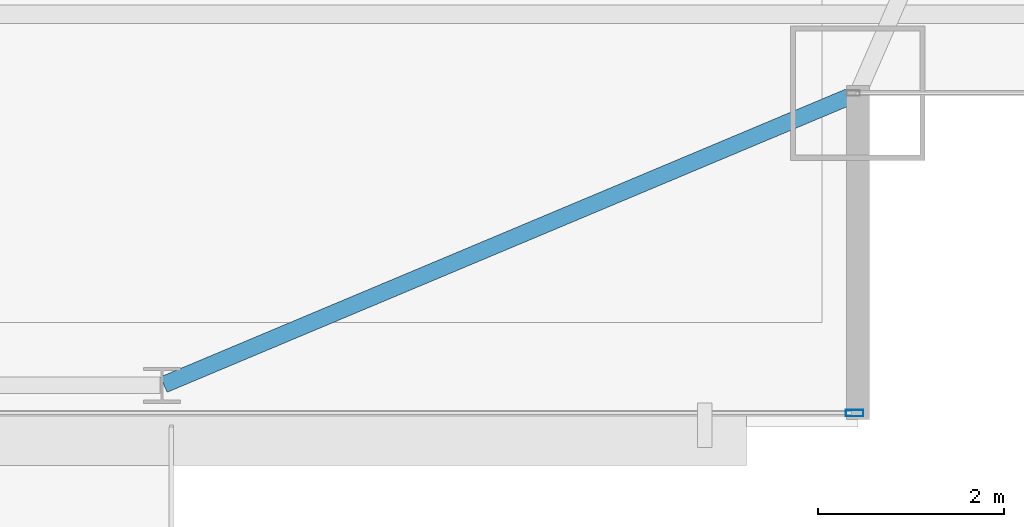
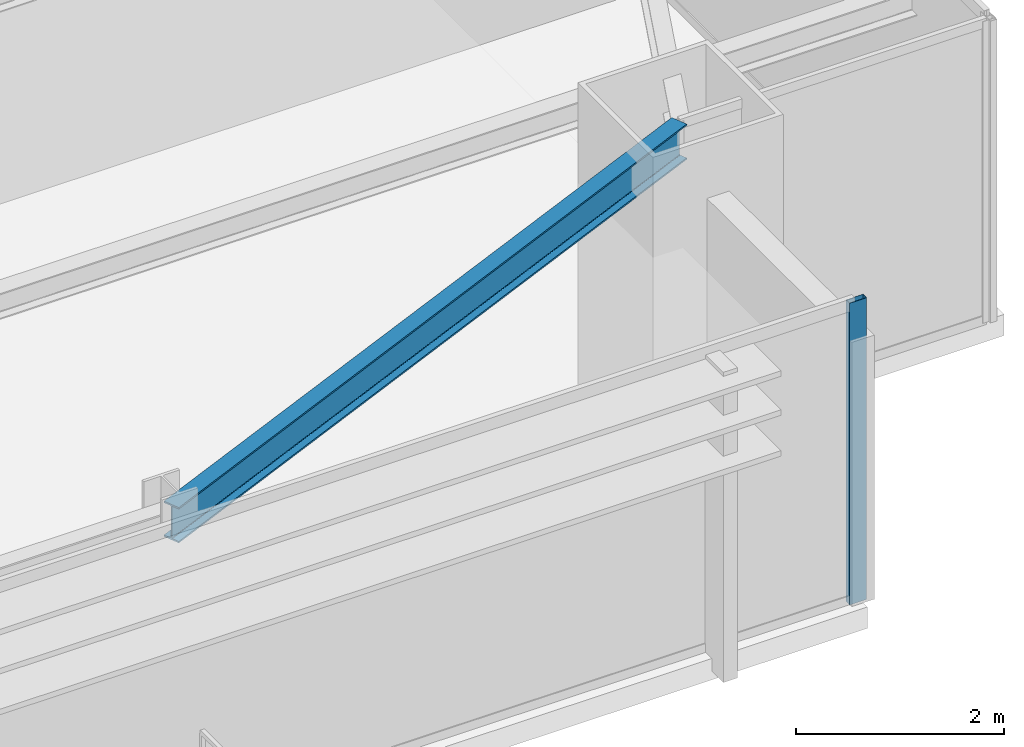
# One storey, part 14 of 32: 1 beam, 1 member, 1 element without a shape of its own.
"""IFC4 building model written with IfcOpenShell, lengths in metres."""

from ifc_helpers import new_model, si_unit, direction, frame, origin, origin_2d, place, context, subcontext, project, spatial, hollow_rectangle, i_section, extrude, source, transform, mapped, material, layer, layer_set, material_profile, profile_set, type_object, type_shapes, element, aggregate, save


model = new_model("IFC4")

# Units and contexts
model_context = context("Model", 3, precision=1e-05, world=origin(), true_north=direction((0.0, 1.0)))
body_context = subcontext(model_context, "Body", "Model", "MODEL_VIEW")
ifc_project = project(units=[si_unit("LENGTHUNIT", "METRE"), si_unit("AREAUNIT", "SQUARE_METRE"), si_unit("VOLUMEUNIT", "CUBIC_METRE"), si_unit("PLANEANGLEUNIT", "RADIAN"), si_unit("MASSUNIT", "GRAM", prefix="KILO")], contexts=[model_context])

# Site, building, storey
site_placement = place(None, origin())
site = spatial("IfcSite", under=ifc_project, at=site_placement, CompositionType="ELEMENT")
building_placement = place(site_placement, origin())
building = spatial("IfcBuilding", under=site, at=building_placement, Name="Varnel Quay Broadcast Tower", CompositionType="ELEMENT")
storey_placement = place(building_placement, frame((0.0, 0.0, 133.39990234375)))
storey = spatial("IfcBuildingStorey", under=building, at=storey_placement, Name="L32", CompositionType="ELEMENT", Elevation=133.39990234375)

# Beam
ifc_material_1 = material(Name="Structural Steel CSA G40.21 350W", Category="steel")
ifc_material_profile_1 = material_profile(ifc_material_1, i_section(OverallWidth=0.180908203125, OverallDepth=0.4169921875, WebThickness=0.010986328125, FlangeThickness=0.018310546875, FilletRadius=0.011962890625, at=origin_2d()), Name="W410X85")
ifc_profile_set_1 = profile_set([ifc_material_profile_1], Name="Structural Steel CSA G40.21 350W")
beam_type = type_object("IfcBeamType", Name="Beam_W410X85", PredefinedType="SPANDREL", material=ifc_profile_set_1)
shared_shape_1 = source(origin(), body_context, "Body", "SweptSolid", [
    extrude(i_section(OverallWidth=0.180908203125, OverallDepth=0.4169921875, WebThickness=0.010986328125, FlangeThickness=0.018310546875, FilletRadius=0.011962890625, at=origin_2d()), origin(), (0.0, 0.0, 1.0), 8.0947265625),
])
type_shapes(beam_type, [shared_shape_1])
beam_placement = place(storey_placement, frame((52.41845703125, 4.65771484375, 3.341552734375), z_axis=(0.921981890247, 0.387232997117, 0.0), x_axis=(-0.387232997117, 0.921981890247, 0.0)))
element("IfcBeam", 1, at=beam_placement, inside=storey, type_object=beam_type, Name="L32 South Spandrel TC-S5-MC-SE", PredefinedType="SPANDREL", context=body_context, shape_type="MappedRepresentation", body=[
    mapped(shared_shape_1, transform((0.0, 0.0, 0.0), x_axis=(1.0, 0.0, 0.0), y_axis=(0.0, 1.0, 0.0), z_axis=(0.0, 0.0, 1.0), scale=1.0)),
])

# Curtain wall, member
ifc_material_2 = material(Name="Anodised Bronze Aluminium 6063-T6", Category="aluminium")
ifc_layer = layer(ifc_material_2, 0.18994140625, Name="Anodised Bronze Aluminium 6063-T6")
ifc_layer_set = layer_set([ifc_layer], Name="Anodised Bronze Aluminium 6063-T6")
curtain_wall_type = type_object("IfcCurtainWallType", Name="CW_LowerTower", PredefinedType="NOTDEFINED", material=ifc_layer_set)
curtain_wall_placement = place(storey_placement, origin())
curtain_wall = element("IfcCurtainWall", 2, at=curtain_wall_placement, inside=storey, type_object=curtain_wall_type, Name="L32 South Unitised Curtain Wall 3", PredefinedType="NOTDEFINED")
ifc_material_profile_2 = material_profile(ifc_material_2, hollow_rectangle(XDim=0.070068359375, YDim=0.18994140625, WallThickness=0.00390625, at=origin_2d()), Name="ALU70X190X4")
ifc_profile_set_2 = profile_set([ifc_material_profile_2], Name="Anodised Bronze Aluminium 6063-T6")
member_type = type_object("IfcMemberType", Name="Mull_CWS-02", PredefinedType="MULLION", material=ifc_profile_set_2)
shared_shape_2 = source(origin(), body_context, "Body", "SweptSolid", [
    extrude(hollow_rectangle(XDim=0.070068359375, YDim=0.18994140625, WallThickness=0.00390625, at=origin_2d()), origin(), (0.0, 0.0, 1.0), 3.550048828125),
])
type_shapes(member_type, [shared_shape_2])
member_placement = place(storey_placement, frame((59.864990234375, 4.35009765625, 0.0), z_axis=(0.0, 0.0, 1.0), x_axis=(0.0, 1.0, 0.0)))
member = element("IfcMember", 3, at=member_placement, type_object=member_type, Name="CWS-02 mullion 2", PredefinedType="MULLION", context=body_context, shape_type="MappedRepresentation", body=[
    mapped(shared_shape_2, transform((0.0, 0.0, 0.0), x_axis=(1.0, 0.0, 0.0), y_axis=(0.0, 1.0, 0.0), z_axis=(0.0, 0.0, 1.0), scale=1.0)),
])
aggregate(curtain_wall, [member])

save(model, "model.ifc")
